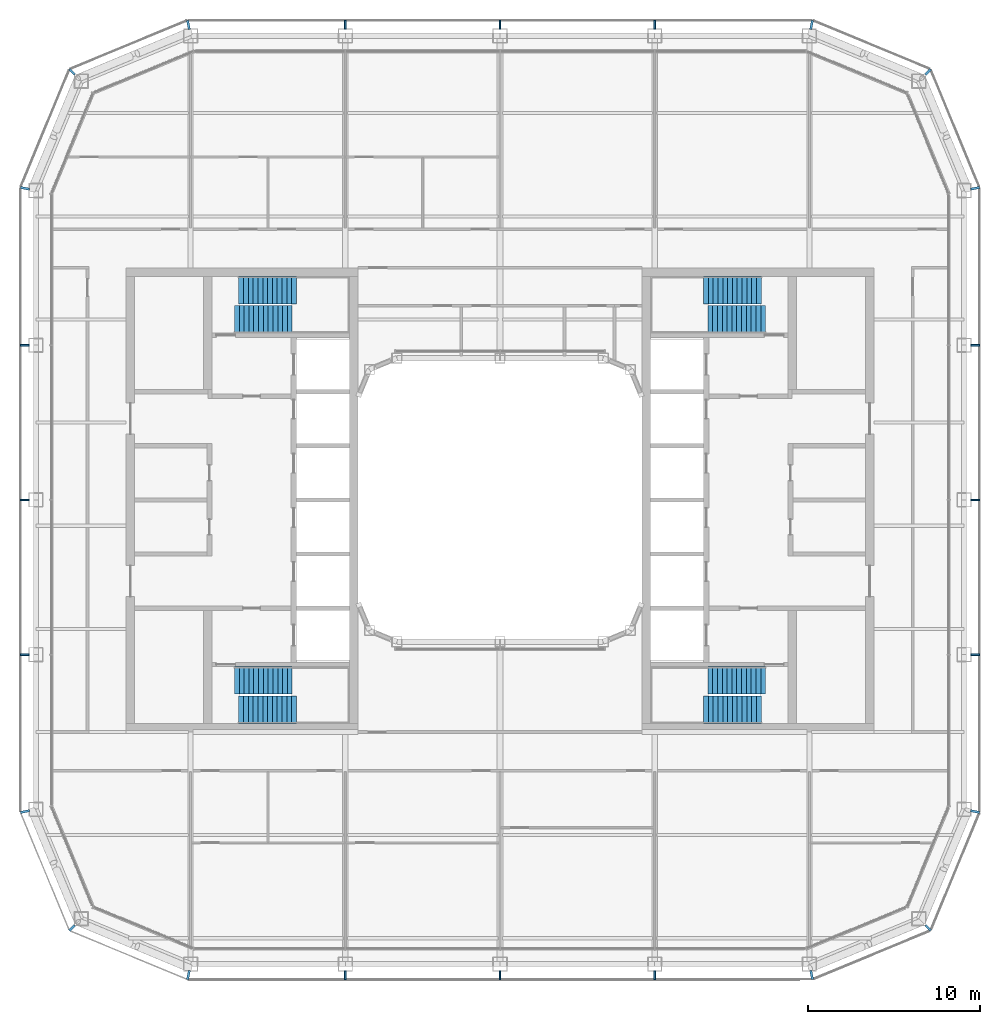
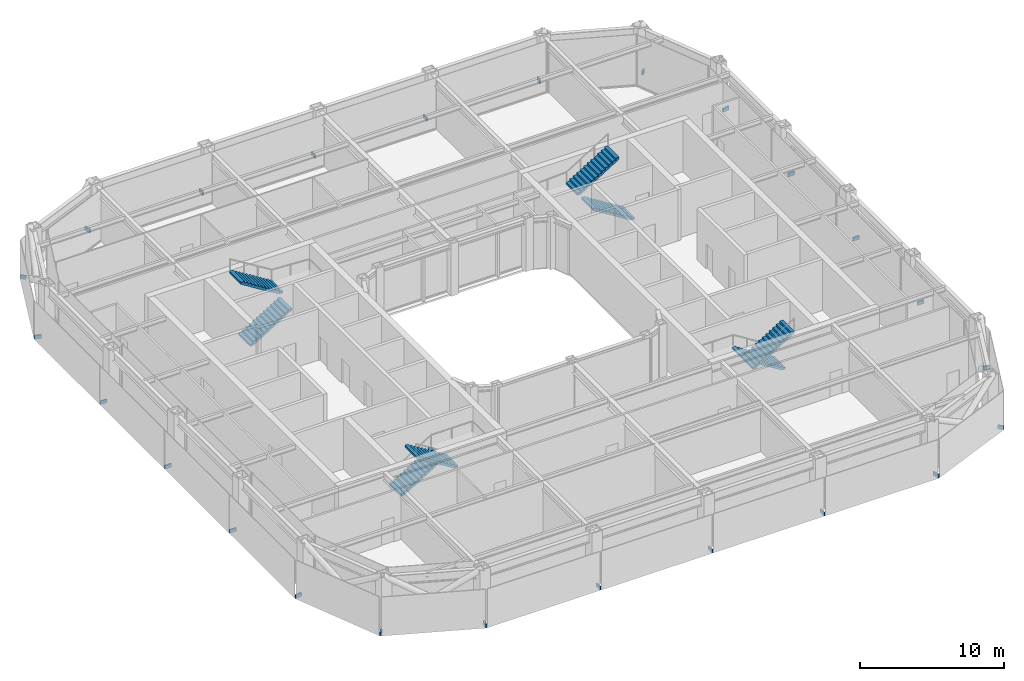
# One storey, part 15 of 19: 24 discrete accessories, 8 stair flights, 4 elements without a shape of their own.
"""IFC4 building model written with IfcOpenShell, lengths in metres."""

import ifcopenshell
import ifcopenshell.guid

model = None  # the IFC model being written
_history = None  # IfcOwnerHistory: only IFC2X3 demands one
_inside = {}  # id of a spatial element -> (the spatial element, [elements in it])
_under = {}  # id of a project, library or spatial element -> (it, [spatial elements below it])
_declared = {}  # id of a project -> (the project, [libraries it declares])
_typed = {}  # id of a type object -> (the type object, [elements of that type])
_made_of = {}  # id of a material, layer set ... -> (it, [elements and type objects made of it])


def new_model(schema):
    """Start an empty IFC model of exactly this schema.

    Asked for "IFC4X3", IfcOpenShell would pick the latest addendum, in which some entities
    have other attributes; the version numbers below select the first issue.
    IFC2X3 requires an IfcOwnerHistory on every rooted entity: one is made here for all.
    """
    global model, _history
    if schema == "IFC4X3":
        model = ifcopenshell.file(schema_version=(4, 3, 0, 0))
    else:
        model = ifcopenshell.file(schema=schema)
    _inside.clear()
    _under.clear()
    _declared.clear()
    _typed.clear()
    _made_of.clear()
    _history = None
    if model.schema == "IFC2X3":
        org = make("IfcOrganization", Name="unknown")
        user = make(
            "IfcPersonAndOrganization",
            ThePerson=make("IfcPerson", FamilyName="unknown"),
            TheOrganization=org,
        )
        app = make(
            "IfcApplication",
            ApplicationDeveloper=org,
            Version="unknown",
            ApplicationFullName="unknown",
            ApplicationIdentifier="unknown",
        )
        _history = make(
            "IfcOwnerHistory",
            OwningUser=user,
            OwningApplication=app,
            ChangeAction="ADDED",
            CreationDate=0,
        )
    return model


def make(cls, **values):
    """One entity of the class cls with the attributes given. An attribute that is None is left unset."""
    return model.create_entity(
        cls, **{name: value for name, value in values.items() if value is not None}
    )


def rooted(cls, **values):
    """An entity with a GlobalId (a new one), such as an element, a storey or a relation."""
    return make(cls, GlobalId=ifcopenshell.guid.new(), OwnerHistory=_history, **values)


def si_unit(unit_type, name, prefix=None):
    """IfcSIUnit, for example si_unit("LENGTHUNIT", "METRE", prefix="MILLI")."""
    return make("IfcSIUnit", UnitType=unit_type, Prefix=prefix, Name=name)


def assignment(units):
    """IfcUnitAssignment: the units of a project."""
    return None if units is None else make("IfcUnitAssignment", Units=units)


def point(xyz):
    """IfcCartesianPoint."""
    return None if xyz is None else make("IfcCartesianPoint", Coordinates=xyz)


def direction(xyz):
    """IfcDirection."""
    return None if xyz is None else make("IfcDirection", DirectionRatios=xyz)


def frame(location, z_axis=None, x_axis=None):
    """IfcAxis2Placement3D, a coordinate frame: its origin and axes. An axis left out is left unset."""
    return make(
        "IfcAxis2Placement3D",
        Location=point(location),
        Axis=direction(z_axis),
        RefDirection=direction(x_axis),
    )


def frame_2d(location, x_axis=None):
    """IfcAxis2Placement2D, a coordinate frame in the plane: its origin and x axis."""
    return make(
        "IfcAxis2Placement2D", Location=point(location), RefDirection=direction(x_axis)
    )


def origin():
    """The frame at (0, 0, 0) with its axes left unset."""
    return frame((0.0, 0.0, 0.0))


def origin_2d():
    """The frame at (0, 0) in the plane with its x axis left unset."""
    return frame_2d((0.0, 0.0))


def place(relative_to, where):
    """IfcLocalPlacement: puts the frame where relative to a parent placement (None: the world)."""
    return make(
        "IfcLocalPlacement", PlacementRelTo=relative_to, RelativePlacement=where
    )


def context(
    kind, dimensions, precision=None, world=None, true_north=None, identifier=None
):
    """IfcGeometricRepresentationContext, for example the 3D "Model" context."""
    return make(
        "IfcGeometricRepresentationContext",
        ContextIdentifier=identifier,
        ContextType=kind,
        CoordinateSpaceDimension=dimensions,
        Precision=precision,
        WorldCoordinateSystem=world,
        TrueNorth=true_north,
    )


def subcontext(parent, identifier, kind, view, scale=None):
    """IfcGeometricRepresentationSubContext, for example "Body" below "Model"."""
    return make(
        "IfcGeometricRepresentationSubContext",
        ContextIdentifier=identifier,
        ContextType=kind,
        ParentContext=parent,
        TargetScale=scale,
        TargetView=view,
    )


def project(units=None, contexts=None):
    """IfcProject with its units and contexts."""
    return rooted(
        "IfcProject",
        Name="project",
        RepresentationContexts=contexts,
        UnitsInContext=assignment(units),
    )


def spatial(cls, under=None, at=None, **own):
    """A site, building, storey or space (cls), placed at a placement, below another one or the project."""
    s = rooted(cls, ObjectPlacement=at, **own)
    if under is not None:
        _under.setdefault(under.id(), (under, []))[1].append(s)
    return s


def polyline(points):
    """IfcPolyline through the points."""
    return make("IfcPolyline", Points=[point(p) for p in points])


def profile(cls, at=None, kind="AREA", **sizes):
    """A parametric profile (cls). Its sizes go by their IFC names, for example OverallWidth=200.0."""
    return make(cls, ProfileType=kind, Position=at, **sizes)


def rectangle(**sizes):
    """IfcRectangleProfileDef."""
    return profile("IfcRectangleProfileDef", **sizes)


def outline(outer, holes=None, kind="AREA"):
    """IfcArbitraryClosedProfileDef: a profile drawn as a closed curve; with holes, ...WithVoids."""
    if holes is None:
        return make("IfcArbitraryClosedProfileDef", ProfileType=kind, OuterCurve=outer)
    return make(
        "IfcArbitraryProfileDefWithVoids",
        ProfileType=kind,
        OuterCurve=outer,
        InnerCurves=holes,
    )


def extrude(swept, where, along, depth):
    """IfcExtrudedAreaSolid: the profile swept, set in the frame where, extruded along a direction by depth."""
    return make(
        "IfcExtrudedAreaSolid",
        SweptArea=swept,
        Position=where,
        ExtrudedDirection=direction(along),
        Depth=depth,
    )


def shape(context_of_items, identifier, shape_type, items):
    """IfcShapeRepresentation: the items that make up one representation, for example the "Body"."""
    return make(
        "IfcShapeRepresentation",
        ContextOfItems=context_of_items,
        RepresentationIdentifier=identifier,
        RepresentationType=shape_type,
        Items=items,
    )


def material(Name=None, Category=None):
    """IfcMaterial."""
    return make("IfcMaterial", Name=Name, Category=Category)


def made_of(thing, what):
    """Note that an element or type object is made of a material, layer set ...; save() writes the relation."""
    if what is not None:
        _made_of.setdefault(what.id(), (what, []))[1].append(thing)
    return thing


def type_object(cls, material=None, **own):
    """A type object (cls), such as IfcWallType, which elements share."""
    return made_of(rooted(cls, **own), material)


def element(
    cls,
    number,
    at=None,
    inside=None,
    cuts=None,
    type_object=None,
    material=None,
    context=None,
    identifier="Body",
    shape_type=None,
    held_by="IfcProductDefinitionShape",
    body=None,
    shapes=None,
    **own,
):
    """One element of the class cls, such as IfcWall. Its Tag is "e" and its number.

    at: its placement. inside: the storey or other place that contains it. cuts: it is an
    opening in that element (IfcRelVoidsElement). A single representation is given by context,
    identifier, shape_type and body (its items); several are given by shapes. held_by: the class
    of the entity that holds the representations. save() writes the other relations.
    """
    e = rooted(cls, Tag="e%d" % number, ObjectPlacement=at, **own)
    if body is not None:
        shapes = [shape(context, identifier, shape_type, body)]
    if shapes is not None:
        e.Representation = make(held_by, Representations=shapes)
    if inside is not None:
        _inside.setdefault(inside.id(), (inside, []))[1].append(e)
    if cuts is not None:
        rooted(
            "IfcRelVoidsElement", RelatingBuildingElement=cuts, RelatedOpeningElement=e
        )
    if type_object is not None:
        _typed.setdefault(type_object.id(), (type_object, []))[1].append(e)
    return made_of(e, material)


def aggregate(whole, parts):
    """IfcRelAggregates: a whole, such as a stair, and the parts it consists of."""
    return rooted("IfcRelAggregates", RelatingObject=whole, RelatedObjects=parts)


def save(model, path):
    """Write the relations noted so far, then the file.

    IfcRelAggregates (storeys below a building ...), IfcRelContainedInSpatialStructure (elements
    in a storey), IfcRelDefinesByType, IfcRelAssociatesMaterial and IfcRelDeclares: one each for
    every whole, place, type object, material and project.
    """
    for whole, parts in _under.values():
        aggregate(whole, parts)
    for where, things in _inside.values():
        rooted(
            "IfcRelContainedInSpatialStructure",
            RelatedElements=things,
            RelatingStructure=where,
        )
    for kind, things in _typed.values():
        rooted("IfcRelDefinesByType", RelatedObjects=things, RelatingType=kind)
    for what, things in _made_of.values():
        rooted("IfcRelAssociatesMaterial", RelatedObjects=things, RelatingMaterial=what)
    for by, libraries in _declared.values():
        rooted("IfcRelDeclares", RelatingContext=by, RelatedDefinitions=libraries)
    model.write(path)


model = new_model("IFC4")

# Units and contexts
model_context = context("Model", 3, precision=1e-05, world=origin(), true_north=direction((0.0, 1.0)))
body_context = subcontext(model_context, "Body", "Model", "MODEL_VIEW")
ifc_project = project(units=[si_unit("LENGTHUNIT", "METRE"), si_unit("AREAUNIT", "SQUARE_METRE"), si_unit("VOLUMEUNIT", "CUBIC_METRE"), si_unit("PLANEANGLEUNIT", "RADIAN"), si_unit("MASSUNIT", "GRAM", prefix="KILO")], contexts=[model_context])

# Site, building, storey
site_placement = place(None, origin())
site = spatial("IfcSite", under=ifc_project, at=site_placement, CompositionType="ELEMENT")
building_placement = place(site_placement, origin())
building = spatial("IfcBuilding", under=site, at=building_placement, Name="Siwar Civic Tower", CompositionType="ELEMENT")
storey_placement = place(building_placement, frame((0.0, 0.0, 228.699951171875)))
storey = spatial("IfcBuildingStorey", under=building, at=storey_placement, Name="L49", CompositionType="ELEMENT", Elevation=228.699951171875)

# Stair, stair flights
ifc_material_1 = material(Name="Concrete C40/50", Category="concrete")
stair_type = type_object("IfcStairType", Name="CORE-STAIR", PredefinedType="TWO_STRAIGHT_RUN_STAIR", material=ifc_material_1)
stair_1_placement = place(storey_placement, origin())
stair_1 = element("IfcStair", 1, at=stair_1_placement, inside=storey, type_object=stair_type, Name="Exit stair ST1", PredefinedType="TWO_STRAIGHT_RUN_STAIR")
ifc_material_2 = material(Name="Concrete C40/50", Category="concrete")
stair_flight_type = type_object("IfcStairFlightType", Name="CORE-STAIR-FLIGHT", PredefinedType="STRAIGHT", material=ifc_material_2)
stair_flight_1_placement = place(storey_placement, frame((-15.449951171875, 10.5, 0.0), z_axis=(0.0, 0.0, 1.0), x_axis=(1.0, 0.0, 0.0)))
stair_flight_1 = element("IfcStairFlight", 2, at=stair_flight_1_placement, type_object=stair_flight_type, Name="ST1 flight 1", NumberOfRisers=13, NumberOfTreads=12, PredefinedType="STRAIGHT", RiserHeight=0.173076923, TreadLength=0.28, context=body_context, shape_type="SweptSolid", body=[
    extrude(outline(polyline([(0.0, 0.0), (0.0, 0.173095703125), (0.280029296875, 0.173095703125), (0.280029296875, 0.34619140625), (0.56005859375, 0.34619140625), (0.56005859375, 0.519287109375), (0.840087890625, 0.519287109375), (0.840087890625, 0.6923828125), (1.1201171875, 0.6923828125), (1.1201171875, 0.865478515625), (1.39990234375, 0.865478515625), (1.39990234375, 1.03857421875), (1.679931640625, 1.03857421875), (1.679931640625, 1.21142578125), (1.9599609375, 1.21142578125), (1.9599609375, 1.384521484375), (2.239990234375, 1.384521484375), (2.239990234375, 1.5576171875), (2.52001953125, 1.5576171875), (2.52001953125, 1.730712890625), (2.800048828125, 1.730712890625), (2.800048828125, 1.90380859375), (3.080078125, 1.90380859375), (3.080078125, 2.076904296875), (3.360107421875, 2.076904296875), (3.360107421875, 2.25), (3.360107421875, 1.900634765625), (0.28515625, 0.0), (0.0, 0.0)])), frame((0.0, 0.800048828125, 0.0), z_axis=(0.0, -1.0, 0.0), x_axis=(1.0, 0.0, 0.0)), (0.0, 0.0, 1.0), 1.60009765625),
])
stair_flight_2_placement = place(storey_placement, frame((-11.840087890625, 12.199951171875, 2.25), z_axis=(0.0, 0.0, 1.0), x_axis=(-1.0, 0.0, 0.0)))
stair_flight_2 = element("IfcStairFlight", 3, at=stair_flight_2_placement, type_object=stair_flight_type, Name="ST1 flight 2", NumberOfRisers=13, NumberOfTreads=12, PredefinedType="STRAIGHT", RiserHeight=0.173076923, TreadLength=0.28, context=body_context, shape_type="SweptSolid", body=[
    extrude(outline(polyline([(0.0, 0.0), (0.0, 0.173095703125), (0.280029296875, 0.173095703125), (0.280029296875, 0.34619140625), (0.56005859375, 0.34619140625), (0.56005859375, 0.519287109375), (0.840087890625, 0.519287109375), (0.840087890625, 0.6923828125), (1.1201171875, 0.6923828125), (1.1201171875, 0.865478515625), (1.39990234375, 0.865478515625), (1.39990234375, 1.03857421875), (1.679931640625, 1.03857421875), (1.679931640625, 1.21142578125), (1.9599609375, 1.21142578125), (1.9599609375, 1.384521484375), (2.239990234375, 1.384521484375), (2.239990234375, 1.5576171875), (2.52001953125, 1.5576171875), (2.52001953125, 1.730712890625), (2.800048828125, 1.730712890625), (2.800048828125, 1.90380859375), (3.080078125, 1.90380859375), (3.080078125, 2.076904296875), (3.360107421875, 2.076904296875), (3.360107421875, 2.25), (3.360107421875, 1.900634765625), (0.28515625, 0.0), (0.0, 0.0)])), frame((0.0, 0.800048828125, 0.0), z_axis=(0.0, -1.0, 0.0), x_axis=(1.0, 0.0, 0.0)), (0.0, 0.0, 1.0), 1.60009765625),
])
aggregate(stair_1, [stair_flight_1, stair_flight_2])

stair_2_placement = place(storey_placement, origin())
stair_2 = element("IfcStair", 4, at=stair_2_placement, inside=storey, type_object=stair_type, Name="Exit stair ST2", PredefinedType="TWO_STRAIGHT_RUN_STAIR")
stair_flight_3_placement = place(storey_placement, frame((-15.449951171875, -10.5, 0.0), z_axis=(0.0, 0.0, 1.0), x_axis=(1.0, 0.0, 0.0)))
stair_flight_3 = element("IfcStairFlight", 5, at=stair_flight_3_placement, type_object=stair_flight_type, Name="ST2 flight 1", NumberOfRisers=13, NumberOfTreads=12, PredefinedType="STRAIGHT", RiserHeight=0.173076923, TreadLength=0.28, context=body_context, shape_type="SweptSolid", body=[
    extrude(outline(polyline([(0.0, 0.0), (0.0, 0.173095703125), (0.280029296875, 0.173095703125), (0.280029296875, 0.34619140625), (0.56005859375, 0.34619140625), (0.56005859375, 0.519287109375), (0.840087890625, 0.519287109375), (0.840087890625, 0.6923828125), (1.1201171875, 0.6923828125), (1.1201171875, 0.865478515625), (1.39990234375, 0.865478515625), (1.39990234375, 1.03857421875), (1.679931640625, 1.03857421875), (1.679931640625, 1.21142578125), (1.9599609375, 1.21142578125), (1.9599609375, 1.384521484375), (2.239990234375, 1.384521484375), (2.239990234375, 1.5576171875), (2.52001953125, 1.5576171875), (2.52001953125, 1.730712890625), (2.800048828125, 1.730712890625), (2.800048828125, 1.90380859375), (3.080078125, 1.90380859375), (3.080078125, 2.076904296875), (3.360107421875, 2.076904296875), (3.360107421875, 2.25), (3.360107421875, 1.900634765625), (0.28515625, 0.0), (0.0, 0.0)])), frame((0.0, 0.800048828125, 0.0), z_axis=(0.0, -1.0, 0.0), x_axis=(1.0, 0.0, 0.0)), (0.0, 0.0, 1.0), 1.60009765625),
])
stair_flight_4_placement = place(storey_placement, frame((-11.840087890625, -12.199951171875, 2.25), z_axis=(0.0, 0.0, 1.0), x_axis=(-1.0, 0.0, 0.0)))
stair_flight_4 = element("IfcStairFlight", 6, at=stair_flight_4_placement, type_object=stair_flight_type, Name="ST2 flight 2", NumberOfRisers=13, NumberOfTreads=12, PredefinedType="STRAIGHT", RiserHeight=0.173076923, TreadLength=0.28, context=body_context, shape_type="SweptSolid", body=[
    extrude(outline(polyline([(0.0, 0.0), (0.0, 0.173095703125), (0.280029296875, 0.173095703125), (0.280029296875, 0.34619140625), (0.56005859375, 0.34619140625), (0.56005859375, 0.519287109375), (0.840087890625, 0.519287109375), (0.840087890625, 0.6923828125), (1.1201171875, 0.6923828125), (1.1201171875, 0.865478515625), (1.39990234375, 0.865478515625), (1.39990234375, 1.03857421875), (1.679931640625, 1.03857421875), (1.679931640625, 1.21142578125), (1.9599609375, 1.21142578125), (1.9599609375, 1.384521484375), (2.239990234375, 1.384521484375), (2.239990234375, 1.5576171875), (2.52001953125, 1.5576171875), (2.52001953125, 1.730712890625), (2.800048828125, 1.730712890625), (2.800048828125, 1.90380859375), (3.080078125, 1.90380859375), (3.080078125, 2.076904296875), (3.360107421875, 2.076904296875), (3.360107421875, 2.25), (3.360107421875, 1.900634765625), (0.28515625, 0.0), (0.0, 0.0)])), frame((0.0, 0.800048828125, 0.0), z_axis=(0.0, -1.0, 0.0), x_axis=(1.0, 0.0, 0.0)), (0.0, 0.0, 1.0), 1.60009765625),
])
aggregate(stair_2, [stair_flight_3, stair_flight_4])

stair_3_placement = place(storey_placement, origin())
stair_3 = element("IfcStair", 7, at=stair_3_placement, inside=storey, type_object=stair_type, Name="Exit stair ST3", PredefinedType="TWO_STRAIGHT_RUN_STAIR")
stair_flight_5_placement = place(storey_placement, frame((15.449951171875, 10.5, 0.0), z_axis=(0.0, 0.0, 1.0), x_axis=(-1.0, 0.0, 0.0)))
stair_flight_5 = element("IfcStairFlight", 8, at=stair_flight_5_placement, type_object=stair_flight_type, Name="ST3 flight 1", NumberOfRisers=13, NumberOfTreads=12, PredefinedType="STRAIGHT", RiserHeight=0.173076923, TreadLength=0.28, context=body_context, shape_type="SweptSolid", body=[
    extrude(outline(polyline([(0.0, 0.0), (0.0, 0.173095703125), (0.280029296875, 0.173095703125), (0.280029296875, 0.34619140625), (0.56005859375, 0.34619140625), (0.56005859375, 0.519287109375), (0.840087890625, 0.519287109375), (0.840087890625, 0.6923828125), (1.1201171875, 0.6923828125), (1.1201171875, 0.865478515625), (1.39990234375, 0.865478515625), (1.39990234375, 1.03857421875), (1.679931640625, 1.03857421875), (1.679931640625, 1.21142578125), (1.9599609375, 1.21142578125), (1.9599609375, 1.384521484375), (2.239990234375, 1.384521484375), (2.239990234375, 1.5576171875), (2.52001953125, 1.5576171875), (2.52001953125, 1.730712890625), (2.800048828125, 1.730712890625), (2.800048828125, 1.90380859375), (3.080078125, 1.90380859375), (3.080078125, 2.076904296875), (3.360107421875, 2.076904296875), (3.360107421875, 2.25), (3.360107421875, 1.900634765625), (0.28515625, 0.0), (0.0, 0.0)])), frame((0.0, 0.800048828125, 0.0), z_axis=(0.0, -1.0, 0.0), x_axis=(1.0, 0.0, 0.0)), (0.0, 0.0, 1.0), 1.60009765625),
])
stair_flight_6_placement = place(storey_placement, frame((11.840087890625, 12.199951171875, 2.25), z_axis=(0.0, 0.0, 1.0), x_axis=(1.0, 0.0, 0.0)))
stair_flight_6 = element("IfcStairFlight", 9, at=stair_flight_6_placement, type_object=stair_flight_type, Name="ST3 flight 2", NumberOfRisers=13, NumberOfTreads=12, PredefinedType="STRAIGHT", RiserHeight=0.173076923, TreadLength=0.28, context=body_context, shape_type="SweptSolid", body=[
    extrude(outline(polyline([(0.0, 0.0), (0.0, 0.173095703125), (0.280029296875, 0.173095703125), (0.280029296875, 0.34619140625), (0.56005859375, 0.34619140625), (0.56005859375, 0.519287109375), (0.840087890625, 0.519287109375), (0.840087890625, 0.6923828125), (1.1201171875, 0.6923828125), (1.1201171875, 0.865478515625), (1.39990234375, 0.865478515625), (1.39990234375, 1.03857421875), (1.679931640625, 1.03857421875), (1.679931640625, 1.21142578125), (1.9599609375, 1.21142578125), (1.9599609375, 1.384521484375), (2.239990234375, 1.384521484375), (2.239990234375, 1.5576171875), (2.52001953125, 1.5576171875), (2.52001953125, 1.730712890625), (2.800048828125, 1.730712890625), (2.800048828125, 1.90380859375), (3.080078125, 1.90380859375), (3.080078125, 2.076904296875), (3.360107421875, 2.076904296875), (3.360107421875, 2.25), (3.360107421875, 1.900634765625), (0.28515625, 0.0), (0.0, 0.0)])), frame((0.0, 0.800048828125, 0.0), z_axis=(0.0, -1.0, 0.0), x_axis=(1.0, 0.0, 0.0)), (0.0, 0.0, 1.0), 1.60009765625),
])
aggregate(stair_3, [stair_flight_5, stair_flight_6])

stair_4_placement = place(storey_placement, origin())
stair_4 = element("IfcStair", 10, at=stair_4_placement, inside=storey, type_object=stair_type, Name="Exit stair ST4", PredefinedType="TWO_STRAIGHT_RUN_STAIR")
stair_flight_7_placement = place(storey_placement, frame((15.449951171875, -10.5, 0.0), z_axis=(0.0, 0.0, 1.0), x_axis=(-1.0, 0.0, 0.0)))
stair_flight_7 = element("IfcStairFlight", 11, at=stair_flight_7_placement, type_object=stair_flight_type, Name="ST4 flight 1", NumberOfRisers=13, NumberOfTreads=12, PredefinedType="STRAIGHT", RiserHeight=0.173076923, TreadLength=0.28, context=body_context, shape_type="SweptSolid", body=[
    extrude(outline(polyline([(0.0, 0.0), (0.0, 0.173095703125), (0.280029296875, 0.173095703125), (0.280029296875, 0.34619140625), (0.56005859375, 0.34619140625), (0.56005859375, 0.519287109375), (0.840087890625, 0.519287109375), (0.840087890625, 0.6923828125), (1.1201171875, 0.6923828125), (1.1201171875, 0.865478515625), (1.39990234375, 0.865478515625), (1.39990234375, 1.03857421875), (1.679931640625, 1.03857421875), (1.679931640625, 1.21142578125), (1.9599609375, 1.21142578125), (1.9599609375, 1.384521484375), (2.239990234375, 1.384521484375), (2.239990234375, 1.5576171875), (2.52001953125, 1.5576171875), (2.52001953125, 1.730712890625), (2.800048828125, 1.730712890625), (2.800048828125, 1.90380859375), (3.080078125, 1.90380859375), (3.080078125, 2.076904296875), (3.360107421875, 2.076904296875), (3.360107421875, 2.25), (3.360107421875, 1.900634765625), (0.28515625, 0.0), (0.0, 0.0)])), frame((0.0, 0.800048828125, 0.0), z_axis=(0.0, -1.0, 0.0), x_axis=(1.0, 0.0, 0.0)), (0.0, 0.0, 1.0), 1.60009765625),
])
stair_flight_8_placement = place(storey_placement, frame((11.840087890625, -12.199951171875, 2.25), z_axis=(0.0, 0.0, 1.0), x_axis=(1.0, 0.0, 0.0)))
stair_flight_8 = element("IfcStairFlight", 12, at=stair_flight_8_placement, type_object=stair_flight_type, Name="ST4 flight 2", NumberOfRisers=13, NumberOfTreads=12, PredefinedType="STRAIGHT", RiserHeight=0.173076923, TreadLength=0.28, context=body_context, shape_type="SweptSolid", body=[
    extrude(outline(polyline([(0.0, 0.0), (0.0, 0.173095703125), (0.280029296875, 0.173095703125), (0.280029296875, 0.34619140625), (0.56005859375, 0.34619140625), (0.56005859375, 0.519287109375), (0.840087890625, 0.519287109375), (0.840087890625, 0.6923828125), (1.1201171875, 0.6923828125), (1.1201171875, 0.865478515625), (1.39990234375, 0.865478515625), (1.39990234375, 1.03857421875), (1.679931640625, 1.03857421875), (1.679931640625, 1.21142578125), (1.9599609375, 1.21142578125), (1.9599609375, 1.384521484375), (2.239990234375, 1.384521484375), (2.239990234375, 1.5576171875), (2.52001953125, 1.5576171875), (2.52001953125, 1.730712890625), (2.800048828125, 1.730712890625), (2.800048828125, 1.90380859375), (3.080078125, 1.90380859375), (3.080078125, 2.076904296875), (3.360107421875, 2.076904296875), (3.360107421875, 2.25), (3.360107421875, 1.900634765625), (0.28515625, 0.0), (0.0, 0.0)])), frame((0.0, 0.800048828125, 0.0), z_axis=(0.0, -1.0, 0.0), x_axis=(1.0, 0.0, 0.0)), (0.0, 0.0, 1.0), 1.60009765625),
])
aggregate(stair_4, [stair_flight_7, stair_flight_8])

# Discrete accessories
ifc_material_3 = material(Name="Stainless steel 316", Category="steel")
discrete_accessory_type = type_object("IfcDiscreteAccessoryType", Name="ENV-BRACKET", PredefinedType="BRACKET", material=ifc_material_3)
for number, where, z_axis, x_axis, name in (
    (13, (27.639892578125, -9.0, -0.14990234375), (0.0, 0.0, 1.0), (1.0, 0.0, 0.0), "Bracket outer skin joint E-01"),
    (14, (27.639892578125, 0.0, -0.14990234375), (0.0, 0.0, 1.0), (1.0, 0.0, 0.0), "Bracket outer skin joint E-02"),
    (15, (27.639892578125, 9.0, -0.14990234375), (0.0, 0.0, 1.0), (1.0, 0.0, 0.0), "Bracket outer skin joint E-03"),
    (16, (9.0, 27.639892578125, -0.14990234375), (0.0, 0.0, 1.0), (0.0, 1.0, 0.0), "Bracket outer skin joint N-01"),
    (17, (0.0, 27.639892578125, -0.14990234375), (0.0, 0.0, 1.0), (0.0, 1.0, 0.0), "Bracket outer skin joint N-02"),
    (18, (-9.0, 27.639892578125, -0.14990234375), (0.0, 0.0, 1.0), (0.0, 1.0, 0.0), "Bracket outer skin joint N-03"),
    (19, (-9.0, -27.639892578125, -0.14990234375), (0.0, 0.0, 1.0), (0.0, -1.0, 0.0), "Bracket outer skin joint S-01"),
    (20, (0.0, -27.639892578125, -0.14990234375), (0.0, 0.0, 1.0), (0.0, -1.0, 0.0), "Bracket outer skin joint S-02"),
    (21, (9.0, -27.639892578125, -0.14990234375), (0.0, 0.0, 1.0), (0.0, -1.0, 0.0), "Bracket outer skin joint S-03"),
):
    element("IfcDiscreteAccessory", number, at=place(storey_placement, frame(where, z_axis=z_axis, x_axis=x_axis)), inside=storey, type_object=discrete_accessory_type, Name=name, PredefinedType="BRACKET", context=body_context, shape_type="SweptSolid", body=[
        extrude(rectangle(XDim=0.52001953125, YDim=0.10009765625, at=origin_2d()), origin(), (0.0, 0.0, 1.0), 0.300048828125),
    ])
for number, where, z_axis, x_axis, name in (
    (22, (-18.12744140625, -27.64013671875, -0.14990234375), (0.0, 0.0, 1.0), (-0.195090322016, -0.980785280403, 0.0), "Bracket outer skin joint V00"),
    (23, (18.12744140625, -27.64013671875, -0.14990234375), (0.0, 0.0, 1.0), (0.195090322016, -0.980785280403, 0.0), "Bracket outer skin joint V01"),
):
    element("IfcDiscreteAccessory", number, at=place(storey_placement, frame(where, z_axis=z_axis, x_axis=x_axis)), inside=storey, type_object=discrete_accessory_type, Name=name, PredefinedType="BRACKET", context=body_context, shape_type="SweptSolid", body=[
        extrude(rectangle(XDim=0.52978515625, YDim=0.13720703125, at=origin_2d()), origin(), (0.0, 0.0, 1.0), 0.300048828125),
    ])
discrete_accessory_1_placement = place(storey_placement, frame((24.9013671875, -24.9013671875, -0.14990234375), z_axis=(0.0, 0.0, 1.0), x_axis=(0.707106781187, -0.707106781187, 0.0)))
element("IfcDiscreteAccessory", 24, at=discrete_accessory_1_placement, inside=storey, type_object=discrete_accessory_type, Name="Bracket outer skin joint V02", PredefinedType="BRACKET", context=body_context, shape_type="SweptSolid", body=[
    extrude(rectangle(XDim=0.428466796875, YDim=0.12939453125, at=origin_2d()), origin(), (0.0, 0.0, 1.0), 0.300048828125),
])
for number, where, z_axis, x_axis, name in (
    (25, (27.64013671875, -18.12744140625, -0.14990234375), (0.0, 0.0, 1.0), (0.980785280403, -0.195090322016, 0.0), "Bracket outer skin joint V03"),
    (26, (27.64013671875, 18.12744140625, -0.14990234375), (0.0, 0.0, 1.0), (0.980785280403, 0.195090322016, 0.0), "Bracket outer skin joint V04"),
):
    element("IfcDiscreteAccessory", number, at=place(storey_placement, frame(where, z_axis=z_axis, x_axis=x_axis)), inside=storey, type_object=discrete_accessory_type, Name=name, PredefinedType="BRACKET", context=body_context, shape_type="SweptSolid", body=[
        extrude(rectangle(XDim=0.52978515625, YDim=0.13720703125, at=origin_2d()), origin(), (0.0, 0.0, 1.0), 0.300048828125),
    ])
discrete_accessory_2_placement = place(storey_placement, frame((24.9013671875, 24.9013671875, -0.14990234375), z_axis=(0.0, 0.0, 1.0), x_axis=(0.707106781187, 0.707106781187, 0.0)))
element("IfcDiscreteAccessory", 27, at=discrete_accessory_2_placement, inside=storey, type_object=discrete_accessory_type, Name="Bracket outer skin joint V05", PredefinedType="BRACKET", context=body_context, shape_type="SweptSolid", body=[
    extrude(rectangle(XDim=0.428466796875, YDim=0.12939453125, at=origin_2d()), origin(), (0.0, 0.0, 1.0), 0.300048828125),
])
for number, where, z_axis, x_axis, name in (
    (28, (18.12744140625, 27.64013671875, -0.14990234375), (0.0, 0.0, 1.0), (0.195090322016, 0.980785280403, 0.0), "Bracket outer skin joint V06"),
    (29, (-18.12744140625, 27.64013671875, -0.14990234375), (0.0, 0.0, 1.0), (-0.195090322016, 0.980785280403, 0.0), "Bracket outer skin joint V07"),
):
    element("IfcDiscreteAccessory", number, at=place(storey_placement, frame(where, z_axis=z_axis, x_axis=x_axis)), inside=storey, type_object=discrete_accessory_type, Name=name, PredefinedType="BRACKET", context=body_context, shape_type="SweptSolid", body=[
        extrude(rectangle(XDim=0.52978515625, YDim=0.13720703125, at=origin_2d()), origin(), (0.0, 0.0, 1.0), 0.300048828125),
    ])
discrete_accessory_3_placement = place(storey_placement, frame((-24.9013671875, 24.9013671875, -0.14990234375), z_axis=(0.0, 0.0, 1.0), x_axis=(-0.707106781187, 0.707106781187, 0.0)))
element("IfcDiscreteAccessory", 30, at=discrete_accessory_3_placement, inside=storey, type_object=discrete_accessory_type, Name="Bracket outer skin joint V08", PredefinedType="BRACKET", context=body_context, shape_type="SweptSolid", body=[
    extrude(rectangle(XDim=0.428466796875, YDim=0.12939453125, at=origin_2d()), origin(), (0.0, 0.0, 1.0), 0.300048828125),
])
for number, where, z_axis, x_axis, name in (
    (31, (-27.64013671875, 18.12744140625, -0.14990234375), (0.0, 0.0, 1.0), (-0.980785280403, 0.195090322016, 0.0), "Bracket outer skin joint V09"),
    (32, (-27.64013671875, -18.12744140625, -0.14990234375), (0.0, 0.0, 1.0), (-0.980785280403, -0.195090322016, 0.0), "Bracket outer skin joint V10"),
):
    element("IfcDiscreteAccessory", number, at=place(storey_placement, frame(where, z_axis=z_axis, x_axis=x_axis)), inside=storey, type_object=discrete_accessory_type, Name=name, PredefinedType="BRACKET", context=body_context, shape_type="SweptSolid", body=[
        extrude(rectangle(XDim=0.52978515625, YDim=0.13720703125, at=origin_2d()), origin(), (0.0, 0.0, 1.0), 0.300048828125),
    ])
discrete_accessory_4_placement = place(storey_placement, frame((-24.9013671875, -24.9013671875, -0.14990234375), z_axis=(0.0, 0.0, 1.0), x_axis=(-0.707106781187, -0.707106781187, 0.0)))
element("IfcDiscreteAccessory", 33, at=discrete_accessory_4_placement, inside=storey, type_object=discrete_accessory_type, Name="Bracket outer skin joint V11", PredefinedType="BRACKET", context=body_context, shape_type="SweptSolid", body=[
    extrude(rectangle(XDim=0.428466796875, YDim=0.12939453125, at=origin_2d()), origin(), (0.0, 0.0, 1.0), 0.300048828125),
])
for number, where, z_axis, x_axis, name in (
    (34, (-27.639892578125, 9.0, -0.14990234375), (0.0, 0.0, 1.0), (-1.0, 0.0, 0.0), "Bracket outer skin joint W-01"),
    (35, (-27.639892578125, 0.0, -0.14990234375), (0.0, 0.0, 1.0), (-1.0, 0.0, 0.0), "Bracket outer skin joint W-02"),
    (36, (-27.639892578125, -9.0, -0.14990234375), (0.0, 0.0, 1.0), (-1.0, 0.0, 0.0), "Bracket outer skin joint W-03"),
):
    element("IfcDiscreteAccessory", number, at=place(storey_placement, frame(where, z_axis=z_axis, x_axis=x_axis)), inside=storey, type_object=discrete_accessory_type, Name=name, PredefinedType="BRACKET", context=body_context, shape_type="SweptSolid", body=[
        extrude(rectangle(XDim=0.52001953125, YDim=0.10009765625, at=origin_2d()), origin(), (0.0, 0.0, 1.0), 0.300048828125),
    ])

save(model, "model.ifc")
